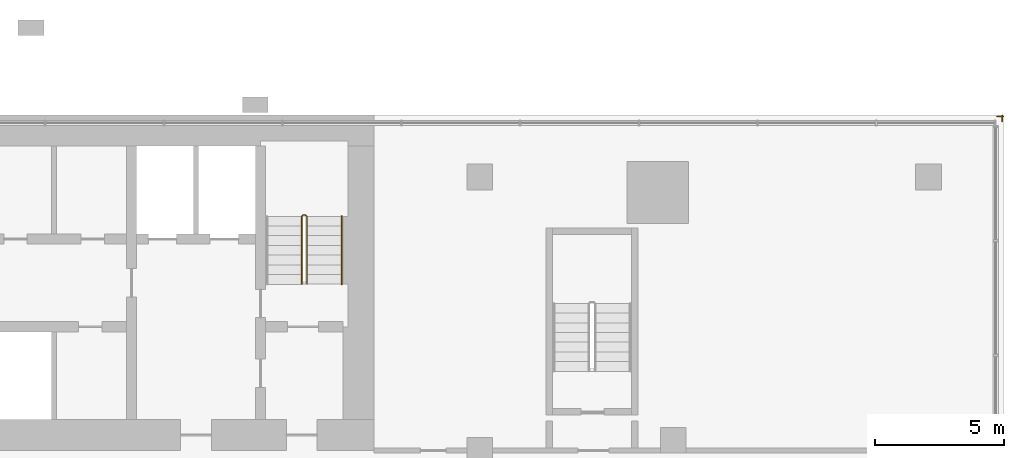
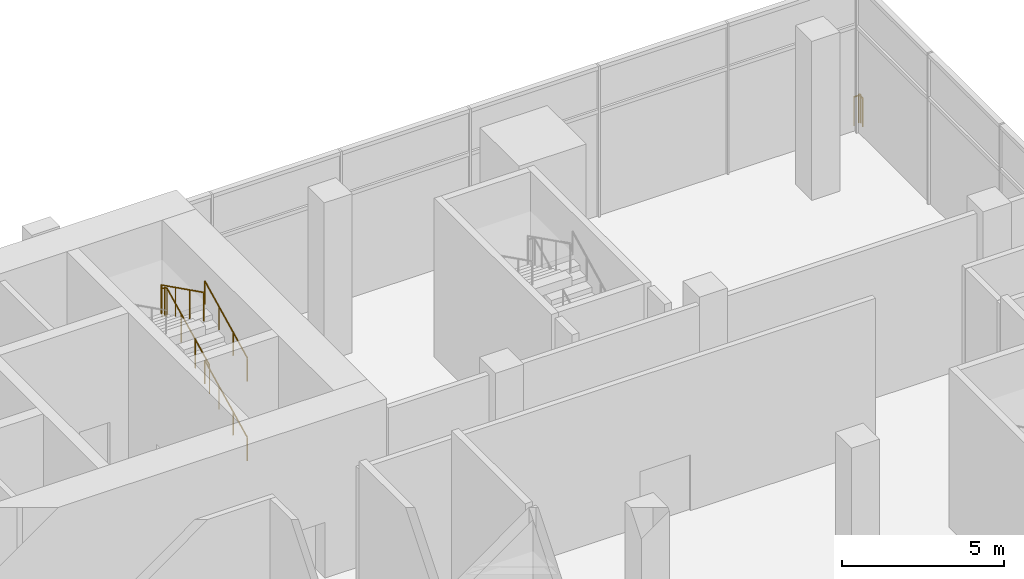
# One storey, part 21 of 21: 4 railings.
"""IFC4 building model written with IfcOpenShell, lengths in metres."""

from ifc_helpers import new_model, si_unit, direction, frame, origin, origin_2d, place, context, subcontext, project, spatial, circle, extrude, material, type_object, element, save


model = new_model("IFC4")

# Units and contexts
model_context = context("Model", 3, precision=1e-05, world=origin(), true_north=direction((0.0, 1.0)))
body_context = subcontext(model_context, "Body", "Model", "MODEL_VIEW")
ifc_project = project(units=[si_unit("LENGTHUNIT", "METRE"), si_unit("AREAUNIT", "SQUARE_METRE"), si_unit("VOLUMEUNIT", "CUBIC_METRE"), si_unit("PLANEANGLEUNIT", "RADIAN"), si_unit("MASSUNIT", "GRAM", prefix="KILO")], contexts=[model_context])

# Site, building, storey
site_placement = place(None, origin())
site = spatial("IfcSite", under=ifc_project, at=site_placement, CompositionType="ELEMENT")
building_placement = place(site_placement, origin())
building = spatial("IfcBuilding", under=site, at=building_placement, Name="Bicima Exchange Tower", CompositionType="ELEMENT")
storey_placement = place(building_placement, frame((0.0, 0.0, 8.0)))
storey = spatial("IfcBuildingStorey", under=building, at=storey_placement, Name="L01", CompositionType="ELEMENT", Elevation=8.0)

# Railings
ifc_material_1 = material(Name="Stainless steel and bonded safety glass", Category="steel")
railing_type_1 = type_object("IfcRailingType", Name="Edge guard 1100", PredefinedType="GUARDRAIL", material=ifc_material_1)
railing_1_placement = place(storey_placement, frame((46.15087890625, -0.050048828125, 0.0)))
element("IfcRailing", 1, at=railing_1_placement, inside=storey, type_object=railing_type_1, Name="Edge guard L01 2", PredefinedType="GUARDRAIL", context=body_context, shape_type="SweptSolid", body=[
    extrude(circle(Radius=0.02392578125, at=origin_2d()), frame((0.0, 0.0, 1.076171875), z_axis=(1.0, 0.0, 0.0), x_axis=(0.0, 1.0, 0.0)), (0.0, 0.0, 1.0), 0.2490234375),
    extrude(circle(Radius=0.02392578125, at=origin_2d()), frame((0.2490234375, 0.0, 1.076171875), z_axis=(-0.705375805398, 0.708833529934, 0.0), x_axis=(-0.708833529934, -0.705375805398, 0.0)), (0.0, 0.0, 1.0), 0.070556640625),
    extrude(circle(Radius=0.02392578125, at=origin_2d()), frame((0.19921875, 0.050048828125, 1.076171875), z_axis=(0.0, -1.0, 0.0), x_axis=(1.0, 0.0, 0.0)), (0.0, 0.0, 1.0), 0.25),
    extrude(circle(Radius=0.02099609375, at=origin_2d()), origin(), (0.0, 0.0, 1.0), 1.052001953125),
    extrude(circle(Radius=0.02099609375, at=origin_2d()), frame((0.2490234375, 0.0, 0.0)), (0.0, 0.0, 1.0), 1.052001953125),
    extrude(circle(Radius=0.02099609375, at=origin_2d()), frame((0.19921875, 0.050048828125, 0.0)), (0.0, 0.0, 1.0), 1.052001953125),
    extrude(circle(Radius=0.02099609375, at=origin_2d()), frame((0.19921875, -0.199951171875, 0.0)), (0.0, 0.0, 1.0), 1.052001953125),
])
ifc_material_2 = material(Name="Stainless steel", Category="steel")
railing_type_2 = type_object("IfcRailingType", Name="Stair guard 1100", PredefinedType="GUARDRAIL", material=ifc_material_2)
railing_2_placement = place(storey_placement, frame((19.39990234375, -6.550048828125, 3.1875)))
element("IfcRailing", 2, at=railing_2_placement, inside=storey, type_object=railing_type_2, Name="L01 ST-E stair guard 2", PredefinedType="GUARDRAIL", context=body_context, shape_type="SweptSolid", body=[
    extrude(circle(Radius=0.02392578125, at=origin_2d()), frame((0.0, 0.0, 1.076171875), z_axis=(0.0, 0.894775759346, 0.446515778543), x_axis=(-1.0, 0.0, 0.0)), (0.0, 0.0, 1.0), 2.939453125),
    extrude(circle(Radius=0.02392578125, at=origin_2d()), frame((0.0, 2.630126953125, 2.388671875), z_axis=(-0.707106781187, 0.707106781187, 0.0), x_axis=(-0.707106781187, -0.707106781187, 0.0)), (0.0, 0.0, 1.0), 0.0703125),
    extrude(circle(Radius=0.02392578125, at=origin_2d()), frame((-0.0498046875, 2.679931640625, 2.388671875), z_axis=(-1.0, 0.0, 0.0), x_axis=(0.0, -1.0, 0.0)), (0.0, 0.0, 1.0), 0.10009765625),
    extrude(circle(Radius=0.02392578125, at=origin_2d()), frame((-0.14990234375, 2.679931640625, 2.388671875), z_axis=(-0.249802250048, -0.248583702486, 0.935844527007), x_axis=(0.705375805398, -0.708833529934, 0.0)), (0.0, 0.0, 1.0), 0.200439453125),
    extrude(circle(Radius=0.02392578125, at=origin_2d()), frame((-0.199951171875, 2.630126953125, 2.576171875), z_axis=(0.0, -0.894775759346, 0.446515778543), x_axis=(1.0, 0.0, 0.0)), (0.0, 0.0, 1.0), 2.939453125),
    extrude(circle(Radius=0.02099609375, at=origin_2d()), origin(), (0.0, 0.0, 1.0), 1.052001953125),
    extrude(circle(Radius=0.02099609375, at=origin_2d()), frame((0.0, 0.876708984375, 0.4375)), (0.0, 0.0, 1.0), 1.052001953125),
    extrude(circle(Radius=0.02099609375, at=origin_2d()), frame((0.0, 1.75341796875, 0.875)), (0.0, 0.0, 1.0), 1.052001953125),
    extrude(circle(Radius=0.02099609375, at=origin_2d()), frame((0.0, 2.630126953125, 1.3125)), (0.0, 0.0, 1.0), 1.052001953125),
    extrude(circle(Radius=0.02099609375, at=origin_2d()), frame((-0.0498046875, 2.679931640625, 1.3125)), (0.0, 0.0, 1.0), 1.052001953125),
    extrude(circle(Radius=0.02099609375, at=origin_2d()), frame((-0.14990234375, 2.679931640625, 1.3125)), (0.0, 0.0, 1.0), 1.052001953125),
    extrude(circle(Radius=0.02099609375, at=origin_2d()), frame((-0.199951171875, 2.630126953125, 1.5)), (0.0, 0.0, 1.0), 1.052001953125),
    extrude(circle(Radius=0.02099609375, at=origin_2d()), frame((-0.199951171875, 1.75341796875, 1.9375)), (0.0, 0.0, 1.0), 1.052001953125),
    extrude(circle(Radius=0.02099609375, at=origin_2d()), frame((-0.199951171875, 0.876708984375, 2.375)), (0.0, 0.0, 1.0), 1.052001953125),
    extrude(circle(Radius=0.02099609375, at=origin_2d()), frame((-0.199951171875, 0.0, 2.8125)), (0.0, 0.0, 1.0), 1.052001953125),
])
railing_type_3 = type_object("IfcRailingType", Name="Stair handrail 900", PredefinedType="HANDRAIL", material=ifc_material_2)
for number, where, name in (
    (3, (20.75, -6.550048828125, 0.1875), "L01 ST-E stair handrail 1"),
    (4, (20.75, -6.550048828125, 3.1875), "L01 ST-E stair handrail 3"),
):
    element("IfcRailing", number, at=place(storey_placement, frame(where)), inside=storey, type_object=railing_type_3, Name=name, PredefinedType="HANDRAIL", context=body_context, shape_type="SweptSolid", body=[
        extrude(circle(Radius=0.02392578125, at=origin_2d()), frame((0.0, 0.0, 0.8759765625), z_axis=(0.0, 0.894775759346, 0.446515778543), x_axis=(-1.0, 0.0, 0.0)), (0.0, 0.0, 1.0), 2.939453125),
        extrude(circle(Radius=0.02099609375, at=origin_2d()), origin(), (0.0, 0.0, 1.0), 0.851806640625),
        extrude(circle(Radius=0.02099609375, at=origin_2d()), frame((0.0, 0.876708984375, 0.4375)), (0.0, 0.0, 1.0), 0.851806640625),
        extrude(circle(Radius=0.02099609375, at=origin_2d()), frame((0.0, 1.75341796875, 0.875)), (0.0, 0.0, 1.0), 0.851806640625),
        extrude(circle(Radius=0.02099609375, at=origin_2d()), frame((0.0, 2.630126953125, 1.3125)), (0.0, 0.0, 1.0), 0.851806640625),
    ])

save(model, "model.ifc")
